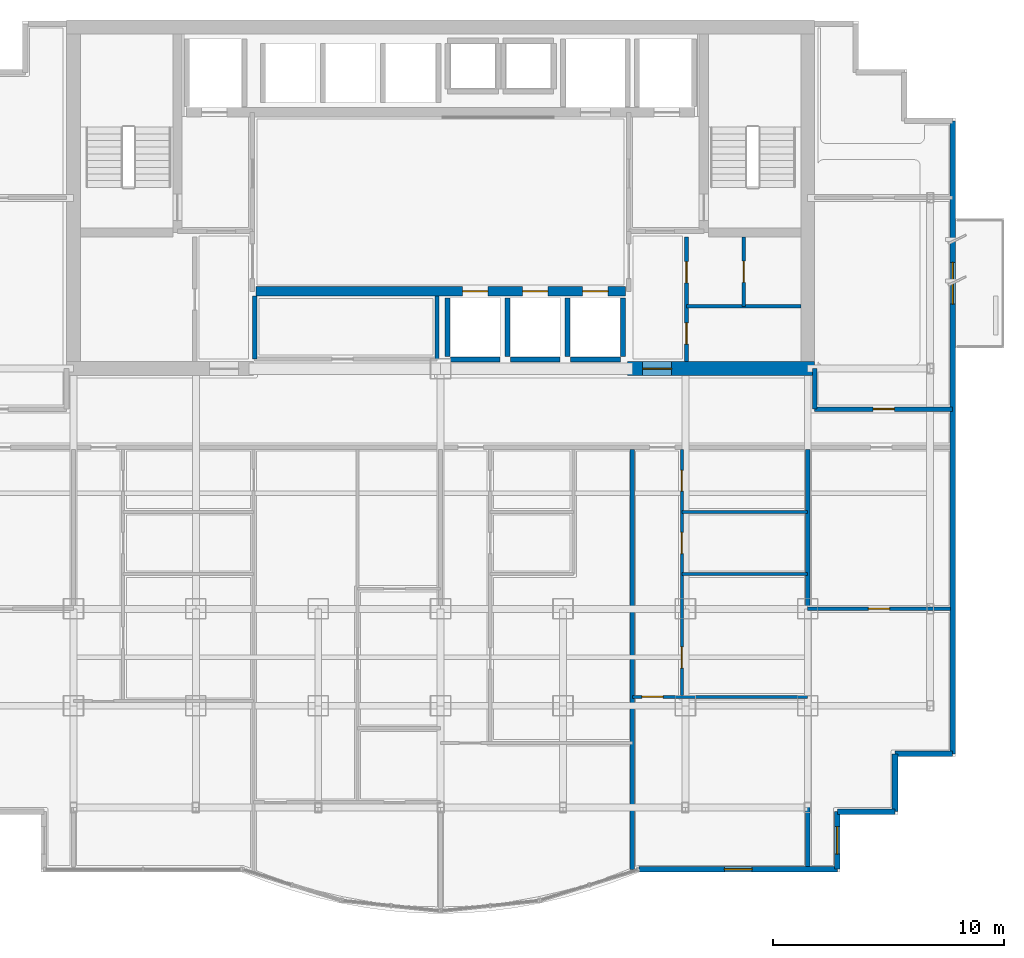
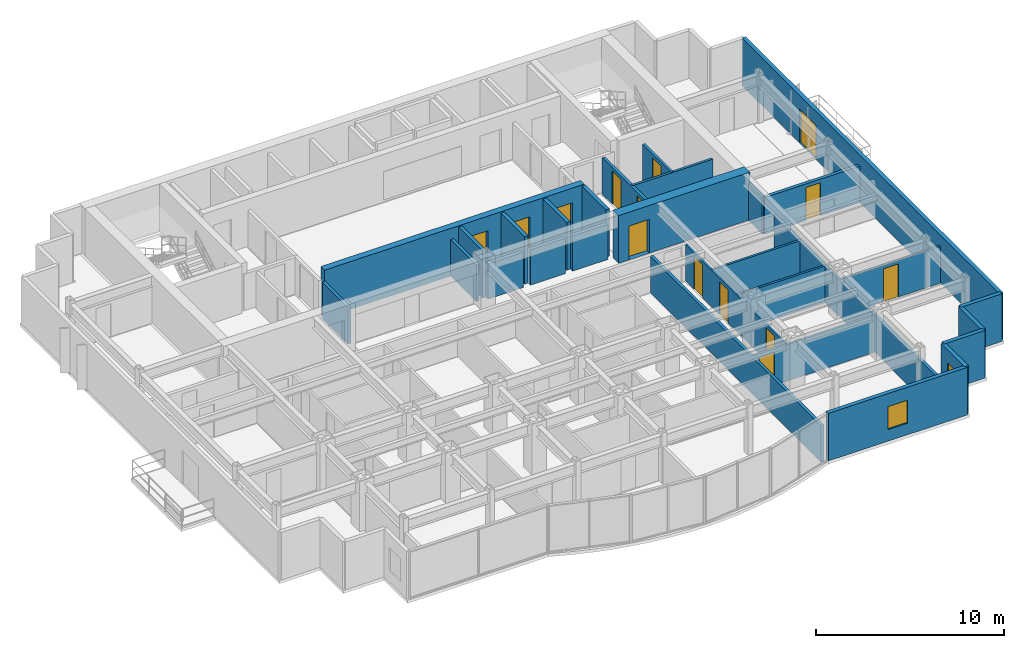
# One storey, part 7 of 11: 29 walls, 14 doors, 2 windows, 16 openings.
"""IFC4 building model written with IfcOpenShell, lengths in metres."""

from ifc_helpers import new_model, si_unit, direction, frame, frame_2d, origin, place, context, subcontext, project, spatial, rectangle, extrude, material, layer, layer_set, type_object, element, fill, save


model = new_model("IFC4")

# Units and contexts
model_context = context("Model", 3, precision=1e-05, world=origin(), true_north=direction((0.0, 1.0)))
body_context = subcontext(model_context, "Body", "Model", "MODEL_VIEW")
ifc_project = project(units=[si_unit("LENGTHUNIT", "METRE"), si_unit("AREAUNIT", "SQUARE_METRE"), si_unit("VOLUMEUNIT", "CUBIC_METRE"), si_unit("PLANEANGLEUNIT", "RADIAN"), si_unit("MASSUNIT", "GRAM", prefix="KILO")], contexts=[model_context])

# Site, building, storey
site_placement = place(None, origin())
site = spatial("IfcSite", under=ifc_project, at=site_placement, CompositionType="ELEMENT")
building_placement = place(site_placement, origin())
building = spatial("IfcBuilding", under=site, at=building_placement, Name="Qianlan Lanfeng Residences", CompositionType="ELEMENT")
storey_placement = place(building_placement, frame((0.0, 0.0, 152.39990234375)))
storey = spatial("IfcBuildingStorey", under=building, at=storey_placement, Name="L41", CompositionType="ELEMENT", Elevation=152.39990234375)

# Wall, openings, doors
ifc_material_1 = material(Name="Concrete C56", Category="concrete")
ifc_layer_1 = layer(ifc_material_1, 0.39990234375)
ifc_layer_set_1 = layer_set([ifc_layer_1], Name="Concrete C56")
wall_type_1 = type_object("IfcWallType", Name="CW-RC-400", PredefinedType="SHEAR", material=ifc_layer_set_1)
wall_1_placement = place(storey_placement, frame((18.5, 28.550048828125, 0.0), z_axis=(0.0, 0.0, 1.0), x_axis=(1.0, 0.0, 0.0)))
wall_1 = element("IfcWall", 1, at=wall_1_placement, inside=storey, type_object=wall_type_1, Name="L41 Core Shear Wall LBS", PredefinedType="SHEAR", context=body_context, shape_type="SweptSolid", body=[
    extrude(rectangle(XDim=16.0, YDim=0.39990234375, at=frame_2d((8.0, 0.0))), origin(), (0.0, 0.0, 1.0), 3.10009765625),
])
opening_1_placement = place(wall_1_placement, frame((8.949951171875, 0.0, 0.0)))
opening_1 = element("IfcOpeningElement", 2, at=opening_1_placement, cuts=wall_1, Name="Opening L41-LD-PL-M1", PredefinedType="OPENING", context=body_context, shape_type="SweptSolid", body=[
    extrude(rectangle(XDim=1.10009765625, YDim=2.14990234375, at=frame_2d((0.550048828125, 1.074951171875))), frame((0.0, 0.2099609375, 0.0), z_axis=(0.0, -1.0, 0.0), x_axis=(1.0, 0.0, 0.0)), (0.0, 0.0, 1.0), 0.419921875),
])
opening_2_placement = place(wall_1_placement, frame((11.550048828125, 0.0, 0.0)))
opening_2 = element("IfcOpeningElement", 3, at=opening_2_placement, cuts=wall_1, Name="Opening L41-LD-PL-M2", PredefinedType="OPENING", context=body_context, shape_type="SweptSolid", body=[
    extrude(rectangle(XDim=1.10009765625, YDim=2.14990234375, at=frame_2d((0.550048828125, 1.074951171875))), frame((0.0, 0.2099609375, 0.0), z_axis=(0.0, -1.0, 0.0), x_axis=(1.0, 0.0, 0.0)), (0.0, 0.0, 1.0), 0.419921875),
])
opening_3_placement = place(wall_1_placement, frame((14.14990234375, 0.0, 0.0)))
opening_3 = element("IfcOpeningElement", 4, at=opening_3_placement, cuts=wall_1, Name="Opening L41-LD-PL-M3", PredefinedType="OPENING", context=body_context, shape_type="SweptSolid", body=[
    extrude(rectangle(XDim=1.10009765625, YDim=2.14990234375, at=frame_2d((0.550048828125, 1.074951171875))), frame((0.0, 0.2099609375, 0.0), z_axis=(0.0, -1.0, 0.0), x_axis=(1.0, 0.0, 0.0)), (0.0, 0.0, 1.0), 0.419921875),
])
ifc_material_2 = material(Name="Brushed Stainless Steel Sliding Lift Door", Category="steel")
door_type_1 = type_object("IfcDoorType", Name="LD-01", OperationType="NOTDEFINED", PredefinedType="DOOR", material=ifc_material_2)
door_1_placement = place(opening_1_placement, origin())
door_1 = element("IfcDoor", 5, at=door_1_placement, inside=storey, type_object=door_type_1, Name="L41 Elevator PL-M1 Sliding Landing Door", OperationType="DOUBLE_DOOR_SLIDING", OverallHeight=2.14990234375, OverallWidth=1.10009765625, PredefinedType="DOOR", context=body_context, shape_type="SweptSolid", body=[
    extrude(rectangle(XDim=1.10009765625, YDim=2.14990234375, at=frame_2d((0.550048828125, 1.074951171875))), frame((0.0, 0.02490234375, 0.0), z_axis=(0.0, -1.0, 0.0), x_axis=(1.0, 0.0, 0.0)), (0.0, 0.0, 1.0), 0.050048828125),
])
fill(opening_1, door_1)
door_2_placement = place(opening_2_placement, origin())
door_2 = element("IfcDoor", 6, at=door_2_placement, inside=storey, type_object=door_type_1, Name="L41 Elevator PL-M2 Sliding Landing Door", OperationType="DOUBLE_DOOR_SLIDING", OverallHeight=2.14990234375, OverallWidth=1.10009765625, PredefinedType="DOOR", context=body_context, shape_type="SweptSolid", body=[
    extrude(rectangle(XDim=1.10009765625, YDim=2.14990234375, at=frame_2d((0.550048828125, 1.074951171875))), frame((0.0, 0.02490234375, 0.0), z_axis=(0.0, -1.0, 0.0), x_axis=(1.0, 0.0, 0.0)), (0.0, 0.0, 1.0), 0.050048828125),
])
fill(opening_2, door_2)
door_3_placement = place(opening_3_placement, origin())
door_3 = element("IfcDoor", 7, at=door_3_placement, inside=storey, type_object=door_type_1, Name="L41 Elevator PL-M3 Sliding Landing Door", OperationType="DOUBLE_DOOR_SLIDING", OverallHeight=2.14990234375, OverallWidth=1.10009765625, PredefinedType="DOOR", context=body_context, shape_type="SweptSolid", body=[
    extrude(rectangle(XDim=1.10009765625, YDim=2.14990234375, at=frame_2d((0.550048828125, 1.074951171875))), frame((0.0, 0.02490234375, 0.0), z_axis=(0.0, -1.0, 0.0), x_axis=(1.0, 0.0, 0.0)), (0.0, 0.0, 1.0), 0.050048828125),
])
fill(opening_3, door_3)

# Wall, opening, door
ifc_layer_2 = layer(ifc_material_1, 0.60009765625)
ifc_layer_set_2 = layer_set([ifc_layer_2], Name="Concrete C56")
wall_type_2 = type_object("IfcWallType", Name="CW-RC-600", PredefinedType="SHEAR", material=ifc_layer_set_2)
wall_2_placement = place(storey_placement, frame((34.60009765625, 25.199951171875, 0.0), z_axis=(0.0, 0.0, 1.0), x_axis=(1.0, 0.0, 0.0)))
wall_2 = element("IfcWall", 8, at=wall_2_placement, inside=storey, type_object=wall_type_2, Name="L41 Core Shear Wall SE", PredefinedType="SHEAR", context=body_context, shape_type="SweptSolid", body=[
    extrude(rectangle(XDim=8.099853515625, YDim=0.60009765625, at=frame_2d((4.0498046875, 0.0))), origin(), (0.0, 0.0, 1.0), 3.10009765625),
])
opening_4_placement = place(wall_2_placement, frame((0.64990234375, 0.0, 0.0)))
opening_4 = element("IfcOpeningElement", 9, at=opening_4_placement, cuts=wall_2, Name="Opening L41-D02", PredefinedType="OPENING", context=body_context, shape_type="SweptSolid", body=[
    extrude(rectangle(XDim=1.25, YDim=2.199951171875, at=frame_2d((0.625, 1.10009765625))), frame((0.0, 0.31005859375, 0.0), z_axis=(0.0, -1.0, 0.0), x_axis=(1.0, 0.0, 0.0)), (0.0, 0.0, 1.0), 0.6201171875),
])
ifc_material_3 = material(Name="Painted Galvanised Steel Fire Door", Category="steel")
door_type_2 = type_object("IfcDoorType", Name="DT-FFL", OperationType="NOTDEFINED", PredefinedType="DOOR", material=ifc_material_3)
door_4_placement = place(opening_4_placement, frame((1.25, 0.0, 0.0), z_axis=(0.0, 0.0, 1.0), x_axis=(-1.0, 0.0, 0.0)))
door_4 = element("IfcDoor", 10, at=door_4_placement, inside=storey, type_object=door_type_2, Name="L41 East Core Lobby Smoke Door L41-D02 (DT-FFL)", OperationType="SINGLE_SWING_LEFT", OverallHeight=2.199951171875, OverallWidth=1.25, PredefinedType="DOOR", context=body_context, shape_type="SweptSolid", body=[
    extrude(rectangle(XDim=1.25, YDim=2.199951171875, at=frame_2d((0.625, 1.10009765625))), frame((0.0, 0.02490234375, 0.0), z_axis=(0.0, -1.0, 0.0), x_axis=(1.0, 0.0, 0.0)), (0.0, 0.0, 1.0), 0.050048828125),
])
fill(opening_4, door_4)

# Wall, opening, window
ifc_material_4 = material(Name="Concrete C42", Category="concrete")
ifc_layer_3 = layer(ifc_material_4, 0.239990234375)
ifc_layer_set_3 = layer_set([ifc_layer_3], Name="Concrete C42")
wall_type_3 = type_object("IfcWallType", Name="EW-240", PredefinedType="SOLIDWALL", material=ifc_layer_set_3)
wall_3_placement = place(storey_placement, frame((35.096923828125, 3.52001953125, 0.0), z_axis=(0.0, 0.0, 1.0), x_axis=(1.0, 0.0, 0.0)))
wall_3 = element("IfcWall", 11, at=wall_3_placement, inside=storey, type_object=wall_type_3, Name="L41 Exterior Facade Spandrel Wall 5", PredefinedType="SOLIDWALL", context=body_context, shape_type="SweptSolid", body=[
    extrude(rectangle(XDim=8.5830078125, YDim=0.239990234375, at=frame_2d((4.29150390625, 0.0))), origin(), (0.0, 0.0, 1.0), 3.10009765625),
])
opening_5_placement = place(wall_3_placement, frame((3.69091796875, 0.0, 0.75)))
opening_5 = element("IfcOpeningElement", 12, at=opening_5_placement, cuts=wall_3, Name="Opening W-03", PredefinedType="OPENING", context=body_context, shape_type="SweptSolid", body=[
    extrude(rectangle(XDim=1.199951171875, YDim=1.5, at=frame_2d((0.60009765625, 0.75))), frame((0.0, 0.1298828125, 0.0), z_axis=(0.0, -1.0, 0.0), x_axis=(1.0, 0.0, 0.0)), (0.0, 0.0, 1.0), 0.260009765625),
])
ifc_material_5 = material(Name="Anodised Bronze Aluminium Framed Double Glazing", Category="aluminium")
window_type = type_object("IfcWindowType", Name="W-03", PartitioningType="SINGLE_PANEL", PredefinedType="WINDOW", material=ifc_material_5)
window_1_placement = place(opening_5_placement, origin())
window_1 = element("IfcWindow", 13, at=window_1_placement, inside=storey, type_object=window_type, Name="L41 Facade Punched Window W-03", OverallHeight=1.5, OverallWidth=1.199951171875, PartitioningType="SINGLE_PANEL", PredefinedType="WINDOW", context=body_context, shape_type="SweptSolid", body=[
    extrude(rectangle(XDim=1.199951171875, YDim=1.5, at=frame_2d((0.60009765625, 0.75))), frame((0.0, 0.030029296875, 0.0), z_axis=(0.0, -1.0, 0.0), x_axis=(1.0, 0.0, 0.0)), (0.0, 0.0, 1.0), 0.06005859375),
])
fill(opening_5, window_1)

wall_4_placement = place(storey_placement, frame((43.679931640625, 3.52001953125, 0.0), z_axis=(0.0, 0.0, 1.0), x_axis=(0.0, 1.0, 0.0)))
wall_4 = element("IfcWall", 14, at=wall_4_placement, inside=storey, type_object=wall_type_3, Name="L41 Exterior Facade Spandrel Wall 6", PredefinedType="SOLIDWALL", context=body_context, shape_type="SweptSolid", body=[
    extrude(rectangle(XDim=2.5, YDim=0.239990234375, at=frame_2d((1.25, 0.0))), origin(), (0.0, 0.0, 1.0), 3.10009765625),
])
opening_6_placement = place(wall_4_placement, frame((0.64990234375, 0.0, 0.75)))
opening_6 = element("IfcOpeningElement", 15, at=opening_6_placement, cuts=wall_4, Name="Opening W-03", PredefinedType="OPENING", context=body_context, shape_type="SweptSolid", body=[
    extrude(rectangle(XDim=1.199951171875, YDim=1.5, at=frame_2d((0.60009765625, 0.75))), frame((0.0, 0.1298828125, 0.0), z_axis=(0.0, -1.0, 0.0), x_axis=(1.0, 0.0, 0.0)), (0.0, 0.0, 1.0), 0.260009765625),
])
window_2_placement = place(opening_6_placement, origin())
window_2 = element("IfcWindow", 16, at=window_2_placement, inside=storey, type_object=window_type, Name="L41 Facade Punched Window W-03", OverallHeight=1.5, OverallWidth=1.199951171875, PartitioningType="SINGLE_PANEL", PredefinedType="WINDOW", context=body_context, shape_type="SweptSolid", body=[
    extrude(rectangle(XDim=1.199951171875, YDim=1.5, at=frame_2d((0.60009765625, 0.75))), frame((0.0, 0.030029296875, 0.0), z_axis=(0.0, -1.0, 0.0), x_axis=(1.0, 0.0, 0.0)), (0.0, 0.0, 1.0), 0.06005859375),
])
fill(opening_6, window_2)

# Walls
for number, where, z_axis, x_axis, name in (
    (17, (43.679931640625, 6.02001953125, 0.0), (0.0, 0.0, 1.0), (1.0, 0.0, 0.0), "L41 Exterior Facade Spandrel Wall 7"),
    (18, (46.179931640625, 6.02001953125, 0.0), (0.0, 0.0, 1.0), (0.0, 1.0, 0.0), "L41 Exterior Facade Spandrel Wall 8"),
    (19, (46.179931640625, 8.52001953125, 0.0), (0.0, 0.0, 1.0), (1.0, 0.0, 0.0), "L41 Exterior Facade Spandrel Wall 9"),
):
    element("IfcWall", number, at=place(storey_placement, frame(where, z_axis=z_axis, x_axis=x_axis)), inside=storey, type_object=wall_type_3, Name=name, PredefinedType="SOLIDWALL", context=body_context, shape_type="SweptSolid", body=[
        extrude(rectangle(XDim=2.5, YDim=0.239990234375, at=frame_2d((1.25, 0.0))), origin(), (0.0, 0.0, 1.0), 3.10009765625),
    ])

# Wall, opening, door
wall_5_placement = place(storey_placement, frame((48.679931640625, 8.52001953125, 0.0), z_axis=(0.0, 0.0, 1.0), x_axis=(0.0, 1.0, 0.0)))
wall_5 = element("IfcWall", 20, at=wall_5_placement, inside=storey, type_object=wall_type_3, Name="L41 Terrace/Balcony Access Exterior Wall 10", PredefinedType="SOLIDWALL", context=body_context, shape_type="SweptSolid", body=[
    extrude(rectangle(XDim=27.409912109375, YDim=0.239990234375, at=frame_2d((13.705078125, 0.0))), origin(), (0.0, 0.0, 1.0), 3.10009765625),
])
opening_7_placement = place(wall_5_placement, frame((19.47998046875, 0.0, 0.0)))
opening_7 = element("IfcOpeningElement", 21, at=opening_7_placement, cuts=wall_5, Name="Opening L41-D-EB-N", PredefinedType="OPENING", context=body_context, shape_type="SweptSolid", body=[
    extrude(rectangle(XDim=1.800048828125, YDim=2.199951171875, at=frame_2d((0.89990234375, 1.10009765625))), frame((0.0, 0.1298828125, 0.0), z_axis=(0.0, -1.0, 0.0), x_axis=(1.0, 0.0, 0.0)), (0.0, 0.0, 1.0), 0.260009765625),
])
ifc_material_6 = material(Name="Anodised Bronze Aluminium Framed Glass", Category="aluminium")
door_type_3 = type_object("IfcDoorType", Name="DT-BAL1", OperationType="NOTDEFINED", PredefinedType="DOOR", material=ifc_material_6)
door_5_placement = place(opening_7_placement, frame((1.800048828125, 0.0, 0.0), z_axis=(0.0, 0.0, 1.0), x_axis=(-1.0, 0.0, 0.0)))
door_5 = element("IfcDoor", 22, at=door_5_placement, inside=storey, type_object=door_type_3, Name="L41 Exterior Access Door EB-N", OperationType="DOUBLE_DOOR_SLIDING", OverallHeight=2.199951171875, OverallWidth=1.800048828125, PredefinedType="DOOR", context=body_context, shape_type="SweptSolid", body=[
    extrude(rectangle(XDim=1.800048828125, YDim=2.199951171875, at=frame_2d((0.89990234375, 1.10009765625))), frame((0.0, 0.02490234375, 0.0), z_axis=(0.0, -1.0, 0.0), x_axis=(1.0, 0.0, 0.0)), (0.0, 0.0, 1.0), 0.050048828125),
])
fill(opening_7, door_5)

ifc_material_7 = material(Name="Moisture-Resistant Gypsum Partition 135 mm")
ifc_layer_4 = layer(ifc_material_7, 0.135009765625)
ifc_layer_set_4 = layer_set([ifc_layer_4], Name="Moisture-Resistant Gypsum Partition 135 mm")
wall_type_4 = type_object("IfcWallType", Name="PW-135", PredefinedType="PARTITIONING", material=ifc_layer_set_4)
wall_6_placement = place(storey_placement, frame((34.800048828125, 10.988037109375, 0.0), z_axis=(0.0, 0.0, 1.0), x_axis=(1.0, 0.0, 0.0)))
wall_6 = element("IfcWall", 23, at=wall_6_placement, inside=storey, type_object=wall_type_4, Name="L41 U03 Living Divider", PredefinedType="PARTITIONING", context=body_context, shape_type="SweptSolid", body=[
    extrude(rectangle(XDim=7.599853515625, YDim=0.135009765625, at=frame_2d((3.7998046875, 0.0))), origin(), (0.0, 0.0, 1.0), 2.380126953125),
])
opening_8_placement = place(wall_6_placement, frame((0.4150390625, 0.0, 0.0)))
opening_8 = element("IfcOpeningElement", 24, at=opening_8_placement, cuts=wall_6, Name="Opening L41-D32", PredefinedType="OPENING", context=body_context, shape_type="SweptSolid", body=[
    extrude(rectangle(XDim=0.919921875, YDim=2.14990234375, at=frame_2d((0.4599609375, 1.074951171875))), frame((0.0, 0.07763671875, 0.0), z_axis=(0.0, -1.0, 0.0), x_axis=(1.0, 0.0, 0.0)), (0.0, 0.0, 1.0), 0.155029296875),
])
ifc_material_8 = material(Name="Glazed Timber Kitchen/Study Door", Category="wood")
door_type_4 = type_object("IfcDoorType", Name="DT-INT", OperationType="NOTDEFINED", PredefinedType="DOOR", material=ifc_material_8)
door_6_placement = place(opening_8_placement, origin())
door_6 = element("IfcDoor", 25, at=door_6_placement, inside=storey, type_object=door_type_4, Name="L41 U03 Living Passage Door L41-D32 (DT-INT)", OperationType="SINGLE_SWING_RIGHT", OverallHeight=2.14990234375, OverallWidth=0.919921875, PredefinedType="DOOR", context=body_context, shape_type="SweptSolid", body=[
    extrude(rectangle(XDim=0.919921875, YDim=2.14990234375, at=frame_2d((0.4599609375, 1.074951171875))), frame((0.0, 0.02490234375, 0.0), z_axis=(0.0, -1.0, 0.0), x_axis=(1.0, 0.0, 0.0)), (0.0, 0.0, 1.0), 0.050048828125),
])
fill(opening_8, door_6)

# Wall, openings, doors
wall_7_placement = place(storey_placement, frame((36.949951171875, 10.988037109375, 0.0), z_axis=(0.0, 0.0, 1.0), x_axis=(0.0, 1.0, 0.0)))
wall_7 = element("IfcWall", 26, at=wall_7_placement, inside=storey, type_object=wall_type_4, Name="L41 U03 Entry Hall Spine", PredefinedType="PARTITIONING", context=body_context, shape_type="SweptSolid", body=[
    extrude(rectangle(XDim=10.7119140625, YDim=0.135009765625, at=frame_2d((5.35595703125, 0.0))), origin(), (0.0, 0.0, 1.0), 2.380126953125),
])
opening_9_placement = place(wall_7_placement, frame((1.24609375, 0.0, 0.0)))
opening_9 = element("IfcOpeningElement", 27, at=opening_9_placement, cuts=wall_7, Name="Opening L41-D33", PredefinedType="OPENING", context=body_context, shape_type="SweptSolid", body=[
    extrude(rectangle(XDim=0.919921875, YDim=2.14990234375, at=frame_2d((0.4599609375, 1.074951171875))), frame((0.0, 0.07763671875, 0.0), z_axis=(0.0, -1.0, 0.0), x_axis=(1.0, 0.0, 0.0)), (0.0, 0.0, 1.0), 0.155029296875),
])
opening_10_placement = place(wall_7_placement, frame((6.201904296875, 0.0, 0.0)))
opening_10 = element("IfcOpeningElement", 28, at=opening_10_placement, cuts=wall_7, Name="Opening L41-D34", PredefinedType="OPENING", context=body_context, shape_type="SweptSolid", body=[
    extrude(rectangle(XDim=0.919921875, YDim=2.14990234375, at=frame_2d((0.4599609375, 1.074951171875))), frame((0.0, 0.07763671875, 0.0), z_axis=(0.0, -1.0, 0.0), x_axis=(1.0, 0.0, 0.0)), (0.0, 0.0, 1.0), 0.155029296875),
])
opening_11_placement = place(wall_7_placement, frame((8.912109375, 0.0, 0.0)))
opening_11 = element("IfcOpeningElement", 29, at=opening_11_placement, cuts=wall_7, Name="Opening L41-D35", PredefinedType="OPENING", context=body_context, shape_type="SweptSolid", body=[
    extrude(rectangle(XDim=0.89990234375, YDim=2.14990234375, at=frame_2d((0.449951171875, 1.074951171875))), frame((0.0, 0.07763671875, 0.0), z_axis=(0.0, -1.0, 0.0), x_axis=(1.0, 0.0, 0.0)), (0.0, 0.0, 1.0), 0.155029296875),
])
door_7_placement = place(opening_9_placement, origin())
door_7 = element("IfcDoor", 30, at=door_7_placement, inside=storey, type_object=door_type_4, Name="L41 U03 Study Door L41-D33 (DT-INT)", OperationType="SINGLE_SWING_RIGHT", OverallHeight=2.14990234375, OverallWidth=0.919921875, PredefinedType="DOOR", context=body_context, shape_type="SweptSolid", body=[
    extrude(rectangle(XDim=0.919921875, YDim=2.14990234375, at=frame_2d((0.4599609375, 1.074951171875))), frame((0.0, 0.02490234375, 0.0), z_axis=(0.0, -1.0, 0.0), x_axis=(1.0, 0.0, 0.0)), (0.0, 0.0, 1.0), 0.050048828125),
])
fill(opening_9, door_7)
door_8_placement = place(opening_10_placement, origin())
door_8 = element("IfcDoor", 31, at=door_8_placement, inside=storey, type_object=door_type_4, Name="L41 U03 Kitchen Door L41-D34 (DT-INT)", OperationType="SINGLE_SWING_LEFT", OverallHeight=2.14990234375, OverallWidth=0.919921875, PredefinedType="DOOR", context=body_context, shape_type="SweptSolid", body=[
    extrude(rectangle(XDim=0.919921875, YDim=2.14990234375, at=frame_2d((0.4599609375, 1.074951171875))), frame((0.0, 0.02490234375, 0.0), z_axis=(0.0, -1.0, 0.0), x_axis=(1.0, 0.0, 0.0)), (0.0, 0.0, 1.0), 0.050048828125),
])
fill(opening_10, door_8)
ifc_material_9 = material(Name="Moisture-Resistant Timber Leaf", Category="wood")
door_type_5 = type_object("IfcDoorType", Name="DT-WC", OperationType="NOTDEFINED", PredefinedType="DOOR", material=ifc_material_9)
door_9_placement = place(opening_11_placement, origin())
door_9 = element("IfcDoor", 32, at=door_9_placement, inside=storey, type_object=door_type_5, Name="L41 U03 Bathroom Door L41-D35 (DT-WC)", OperationType="SINGLE_SWING_RIGHT", OverallHeight=2.14990234375, OverallWidth=0.89990234375, PredefinedType="DOOR", context=body_context, shape_type="SweptSolid", body=[
    extrude(rectangle(XDim=0.89990234375, YDim=2.14990234375, at=frame_2d((0.449951171875, 1.074951171875))), frame((0.0, 0.02490234375, 0.0), z_axis=(0.0, -1.0, 0.0), x_axis=(1.0, 0.0, 0.0)), (0.0, 0.0, 1.0), 0.050048828125),
])
fill(opening_11, door_9)

# Walls
for number, where, z_axis, x_axis, name in (
    (33, (36.949951171875, 16.300048828125, 0.0), (0.0, 0.0, 1.0), (1.0, 0.0, 0.0), "L41 U03 Kitchen South Wall"),
    (34, (36.949951171875, 19.0, 0.0), (0.0, 0.0, 1.0), (1.0, 0.0, 0.0), "L41 U03 Bathroom South Wall"),
):
    element("IfcWall", number, at=place(storey_placement, frame(where, z_axis=z_axis, x_axis=x_axis)), inside=storey, type_object=wall_type_4, Name=name, PredefinedType="PARTITIONING", context=body_context, shape_type="SweptSolid", body=[
        extrude(rectangle(XDim=5.449951171875, YDim=0.135009765625, at=frame_2d((2.72509765625, 0.0))), origin(), (0.0, 0.0, 1.0), 2.380126953125),
    ])

# Wall, opening, door
wall_8_placement = place(storey_placement, frame((42.39990234375, 14.800048828125, 0.0), z_axis=(0.0, 0.0, 1.0), x_axis=(1.0, 0.0, 0.0)))
wall_8 = element("IfcWall", 35, at=wall_8_placement, inside=storey, type_object=wall_type_4, Name="L41 SEP Mid Partition", PredefinedType="PARTITIONING", context=body_context, shape_type="SweptSolid", body=[
    extrude(rectangle(XDim=6.18017578125, YDim=0.135009765625, at=frame_2d((3.090087890625, 0.0))), origin(), (0.0, 0.0, 1.0), 2.380126953125),
])
opening_12_placement = place(wall_8_placement, frame((2.6298828125, 0.0, 0.0)))
opening_12 = element("IfcOpeningElement", 36, at=opening_12_placement, cuts=wall_8, Name="Opening L41-D38", PredefinedType="OPENING", context=body_context, shape_type="SweptSolid", body=[
    extrude(rectangle(XDim=0.919921875, YDim=2.14990234375, at=frame_2d((0.4599609375, 1.074951171875))), frame((0.0, 0.07763671875, 0.0), z_axis=(0.0, -1.0, 0.0), x_axis=(1.0, 0.0, 0.0)), (0.0, 0.0, 1.0), 0.155029296875),
])
door_10_placement = place(opening_12_placement, origin())
door_10 = element("IfcDoor", 37, at=door_10_placement, inside=storey, type_object=door_type_4, Name="L41 SEP Inner Door L41-D38 (DT-INT)", OperationType="SINGLE_SWING_LEFT", OverallHeight=2.14990234375, OverallWidth=0.919921875, PredefinedType="DOOR", context=body_context, shape_type="SweptSolid", body=[
    extrude(rectangle(XDim=0.919921875, YDim=2.14990234375, at=frame_2d((0.4599609375, 1.074951171875))), frame((0.0, 0.02490234375, 0.0), z_axis=(0.0, -1.0, 0.0), x_axis=(1.0, 0.0, 0.0)), (0.0, 0.0, 1.0), 0.050048828125),
])
fill(opening_12, door_10)

# Wall
ifc_material_10 = material(Name="Acoustic Drywall Partition 150 mm")
ifc_layer_5 = layer(ifc_material_10, 0.14990234375)
ifc_layer_set_5 = layer_set([ifc_layer_5], Name="Acoustic Drywall Partition 150 mm")
wall_type_5 = type_object("IfcWallType", Name="PW-150", PredefinedType="PARTITIONING", material=ifc_layer_set_5)
wall_9_placement = place(storey_placement, frame((37.14990234375, 27.89990234375, 0.0), z_axis=(0.0, 0.0, 1.0), x_axis=(1.0, 0.0, 0.0)))
element("IfcWall", 38, at=wall_9_placement, inside=storey, type_object=wall_type_5, Name="L41 Core East H Split", PredefinedType="PARTITIONING", context=body_context, shape_type="SweptSolid", body=[
    extrude(rectangle(XDim=4.9501953125, YDim=0.14990234375, at=frame_2d((2.47509765625, 0.0))), origin(), (0.0, 0.0, 1.0), 2.380126953125),
])

# Wall, opening, door
wall_10_placement = place(storey_placement, frame((39.625, 27.89990234375, 0.0), z_axis=(0.0, 0.0, 1.0), x_axis=(0.0, 1.0, 0.0)))
wall_10 = element("IfcWall", 39, at=wall_10_placement, inside=storey, type_object=wall_type_5, Name="L41 Core East V Split", PredefinedType="PARTITIONING", context=body_context, shape_type="SweptSolid", body=[
    extrude(rectangle(XDim=3.0, YDim=0.14990234375, at=frame_2d((1.5, 0.0))), origin(), (0.0, 0.0, 1.0), 2.380126953125),
])
opening_13_placement = place(wall_10_placement, frame((1.0400390625, 0.0, 0.0)))
opening_13 = element("IfcOpeningElement", 40, at=opening_13_placement, cuts=wall_10, Name="Opening L41-D12", PredefinedType="OPENING", context=body_context, shape_type="SweptSolid", body=[
    extrude(rectangle(XDim=0.919921875, YDim=2.14990234375, at=frame_2d((0.4599609375, 1.074951171875))), frame((0.0, 0.0849609375, 0.0), z_axis=(0.0, -1.0, 0.0), x_axis=(1.0, 0.0, 0.0)), (0.0, 0.0, 1.0), 0.169921875),
])
door_11_placement = place(opening_13_placement, origin())
door_11 = element("IfcDoor", 41, at=door_11_placement, inside=storey, type_object=door_type_4, Name="L41 Inner Supply Closet Door L41-D12 (DT-INT)", OperationType="SINGLE_SWING_LEFT", OverallHeight=2.14990234375, OverallWidth=0.919921875, PredefinedType="DOOR", context=body_context, shape_type="SweptSolid", body=[
    extrude(rectangle(XDim=0.919921875, YDim=2.14990234375, at=frame_2d((0.4599609375, 1.074951171875))), frame((0.0, 0.02490234375, 0.0), z_axis=(0.0, -1.0, 0.0), x_axis=(1.0, 0.0, 0.0)), (0.0, 0.0, 1.0), 0.050048828125),
])
fill(opening_13, door_11)

# Wall, openings, doors
ifc_material_11 = material(Name="Double-Layer Acoustic Gypsum Stud Wall 180 mm")
ifc_layer_6 = layer(ifc_material_11, 0.179931640625)
ifc_layer_set_6 = layer_set([ifc_layer_6], Name="Double-Layer Acoustic Gypsum Stud Wall 180 mm")
wall_type_6 = type_object("IfcWallType", Name="PW-180", PredefinedType="PARTITIONING", material=ifc_layer_set_6)
wall_11_placement = place(storey_placement, frame((37.14990234375, 25.5, 0.0), z_axis=(0.0, 0.0, 1.0), x_axis=(0.0, 1.0, 0.0)))
wall_11 = element("IfcWall", 42, at=wall_11_placement, inside=storey, type_object=wall_type_6, Name="L41 Core East Service Room Wall", PredefinedType="PARTITIONING", context=body_context, shape_type="SweptSolid", body=[
    extrude(rectangle(XDim=5.39990234375, YDim=0.179931640625, at=frame_2d((2.699951171875, 0.0))), origin(), (0.0, 0.0, 1.0), 2.380126953125),
])
opening_14_placement = place(wall_11_placement, frame((0.764892578125, 0.0, 0.0)))
opening_14 = element("IfcOpeningElement", 43, at=opening_14_placement, cuts=wall_11, Name="Opening L41-D10", PredefinedType="OPENING", context=body_context, shape_type="SweptSolid", body=[
    extrude(rectangle(XDim=0.919921875, YDim=2.14990234375, at=frame_2d((0.4599609375, 1.074951171875))), frame((0.0, 0.10009765625, 0.0), z_axis=(0.0, -1.0, 0.0), x_axis=(1.0, 0.0, 0.0)), (0.0, 0.0, 1.0), 0.199951171875),
])
opening_15_placement = place(wall_11_placement, frame((3.4150390625, 0.0, 0.0)))
opening_15 = element("IfcOpeningElement", 44, at=opening_15_placement, cuts=wall_11, Name="Opening L41-D11", PredefinedType="OPENING", context=body_context, shape_type="SweptSolid", body=[
    extrude(rectangle(XDim=0.919921875, YDim=2.14990234375, at=frame_2d((0.4599609375, 1.074951171875))), frame((0.0, 0.10009765625, 0.0), z_axis=(0.0, -1.0, 0.0), x_axis=(1.0, 0.0, 0.0)), (0.0, 0.0, 1.0), 0.199951171875),
])
door_12_placement = place(opening_14_placement, origin())
door_12 = element("IfcDoor", 45, at=door_12_placement, inside=storey, type_object=door_type_4, Name="L41 Refuse Room Door L41-D10 (DT-INT)", OperationType="SINGLE_SWING_LEFT", OverallHeight=2.14990234375, OverallWidth=0.919921875, PredefinedType="DOOR", context=body_context, shape_type="SweptSolid", body=[
    extrude(rectangle(XDim=0.919921875, YDim=2.14990234375, at=frame_2d((0.4599609375, 1.074951171875))), frame((0.0, 0.02490234375, 0.0), z_axis=(0.0, -1.0, 0.0), x_axis=(1.0, 0.0, 0.0)), (0.0, 0.0, 1.0), 0.050048828125),
])
fill(opening_14, door_12)
door_13_placement = place(opening_15_placement, origin())
door_13 = element("IfcDoor", 46, at=door_13_placement, inside=storey, type_object=door_type_4, Name="L41 Janitor Outer Door L41-D11 (DT-INT)", OperationType="SINGLE_SWING_RIGHT", OverallHeight=2.14990234375, OverallWidth=0.919921875, PredefinedType="DOOR", context=body_context, shape_type="SweptSolid", body=[
    extrude(rectangle(XDim=0.919921875, YDim=2.14990234375, at=frame_2d((0.4599609375, 1.074951171875))), frame((0.0, 0.02490234375, 0.0), z_axis=(0.0, -1.0, 0.0), x_axis=(1.0, 0.0, 0.0)), (0.0, 0.0, 1.0), 0.050048828125),
])
fill(opening_15, door_13)

# Walls
for number, where, z_axis, x_axis, name in (
    (47, (18.449951171875, 25.6201171875, 0.0), (0.0, 0.0, 1.0), (0.0, 1.0, 0.0), "L41 Reclaimed Low-Bank Room West Wall"),
    (48, (26.35009765625, 25.6201171875, 0.0), (0.0, 0.0, 1.0), (0.0, 1.0, 0.0), "L41 Reclaimed Low-Bank Room East Wall"),
):
    element("IfcWall", number, at=place(storey_placement, frame(where, z_axis=z_axis, x_axis=x_axis)), inside=storey, type_object=wall_type_6, Name=name, PredefinedType="PARTITIONING", context=body_context, shape_type="SweptSolid", body=[
        extrude(rectangle(XDim=2.72998046875, YDim=0.179931640625, at=frame_2d((1.364990234375, 0.0))), origin(), (0.0, 0.0, 1.0), 2.380126953125),
    ])
wall_12_placement = place(storey_placement, frame((42.39990234375, 3.6201171875, 0.0), z_axis=(0.0, 0.0, 1.0), x_axis=(0.0, 1.0, 0.0)))
element("IfcWall", 49, at=wall_12_placement, inside=storey, type_object=wall_type_6, Name="L41 Wing Boundary Party Wall E0", PredefinedType="PARTITIONING", context=body_context, shape_type="SweptSolid", body=[
    extrude(rectangle(XDim=18.079833984375, YDim=0.179931640625, at=frame_2d((9.0400390625, 0.0))), origin(), (0.0, 0.0, 1.0), 2.380126953125),
])
wall_13_placement = place(storey_placement, frame((34.800048828125, 3.510986328125, 0.0), z_axis=(0.0, 0.0, 1.0), x_axis=(0.0, 1.0, 0.0)))
element("IfcWall", 50, at=wall_13_placement, inside=storey, type_object=wall_type_6, Name="L41 Inter-Tenancy Party Wall 3", PredefinedType="PARTITIONING", context=body_context, shape_type="SweptSolid", body=[
    extrude(rectangle(XDim=18.18896484375, YDim=0.179931640625, at=frame_2d((9.094482421875, 0.0))), origin(), (0.0, 0.0, 1.0), 2.380126953125),
])

# Wall, opening, door
ifc_material_12 = material(Name="Autoclaved Aerated Concrete Blockwork 200 mm", Category="masonry")
ifc_layer_7 = layer(ifc_material_12, 0.199951171875)
ifc_layer_set_7 = layer_set([ifc_layer_7], Name="Autoclaved Aerated Concrete Blockwork 200 mm")
wall_type_7 = type_object("IfcWallType", Name="PW-200", PredefinedType="PARTITIONING", material=ifc_layer_set_7)
wall_14_placement = place(storey_placement, frame((42.699951171875, 23.449951171875, 0.0), z_axis=(0.0, 0.0, 1.0), x_axis=(1.0, 0.0, 0.0)))
wall_14 = element("IfcWall", 51, at=wall_14_placement, inside=storey, type_object=wall_type_7, Name="L41 Corridor NE Wall", PredefinedType="PARTITIONING", context=body_context, shape_type="SweptSolid", body=[
    extrude(rectangle(XDim=5.97998046875, YDim=0.199951171875, at=frame_2d((2.989990234375, 0.0))), origin(), (0.0, 0.0, 1.0), 2.380126953125),
])
opening_16_placement = place(wall_14_placement, frame((2.530029296875, 0.0, 0.0)))
opening_16 = element("IfcOpeningElement", 52, at=opening_16_placement, cuts=wall_14, Name="Opening L41-D43", PredefinedType="OPENING", context=body_context, shape_type="SweptSolid", body=[
    extrude(rectangle(XDim=0.919921875, YDim=2.14990234375, at=frame_2d((0.4599609375, 1.074951171875))), frame((0.0, 0.10986328125, 0.0), z_axis=(0.0, -1.0, 0.0), x_axis=(1.0, 0.0, 0.0)), (0.0, 0.0, 1.0), 0.219970703125),
])
door_14_placement = place(opening_16_placement, origin())
door_14 = element("IfcDoor", 53, at=door_14_placement, inside=storey, type_object=door_type_4, Name="L41 EW Amenity Salon Door L41-D43 (DT-INT)", OperationType="SINGLE_SWING_RIGHT", OverallHeight=2.14990234375, OverallWidth=0.919921875, PredefinedType="DOOR", context=body_context, shape_type="SweptSolid", body=[
    extrude(rectangle(XDim=0.919921875, YDim=2.14990234375, at=frame_2d((0.4599609375, 1.074951171875))), frame((0.0, 0.02490234375, 0.0), z_axis=(0.0, -1.0, 0.0), x_axis=(1.0, 0.0, 0.0)), (0.0, 0.0, 1.0), 0.050048828125),
])
fill(opening_16, door_14)

# Walls
wall_15_placement = place(storey_placement, frame((42.699951171875, 23.449951171875, 0.0), z_axis=(0.0, 0.0, 1.0), x_axis=(0.0, 1.0, 0.0)))
element("IfcWall", 54, at=wall_15_placement, inside=storey, type_object=wall_type_7, Name="L41 NE Wing Core Return Wall", PredefinedType="PARTITIONING", context=body_context, shape_type="SweptSolid", body=[
    extrude(rectangle(XDim=1.75, YDim=0.199951171875, at=frame_2d((0.875, 0.0))), origin(), (0.0, 0.0, 1.0), 2.380126953125),
])
ifc_material_13 = material(Name="Concrete C49", Category="concrete")
ifc_layer_8 = layer(ifc_material_13, 0.219970703125)
ifc_layer_set_8 = layer_set([ifc_layer_8], Name="Concrete C49")
wall_type_8 = type_object("IfcWallType", Name="SHW-220", PredefinedType="SOLIDWALL", material=ifc_layer_set_8)
wall_16_placement = place(storey_placement, frame((26.800048828125, 25.719970703125, 0.0), z_axis=(0.0, 0.0, 1.0), x_axis=(0.0, 1.0, 0.0)))
element("IfcWall", 55, at=wall_16_placement, inside=storey, type_object=wall_type_8, Name="L41 Lift PL-M1 Shaft Wall W", PredefinedType="SOLIDWALL", context=body_context, shape_type="SweptSolid", body=[
    extrude(rectangle(XDim=2.530029296875, YDim=0.219970703125, at=frame_2d((1.26513671875, 0.0))), origin(), (0.0, 0.0, 1.0), 3.10009765625),
])
wall_17_placement = place(storey_placement, frame((26.919921875, 25.60009765625, 0.0), z_axis=(0.0, 0.0, 1.0), x_axis=(1.0, 0.0, 0.0)))
element("IfcWall", 56, at=wall_17_placement, inside=storey, type_object=wall_type_8, Name="L41 Lift PL-M1 Shaft Back Wall S", PredefinedType="SOLIDWALL", context=body_context, shape_type="SweptSolid", body=[
    extrude(rectangle(XDim=2.16015625, YDim=0.219970703125, at=frame_2d((1.080078125, 0.0))), origin(), (0.0, 0.0, 1.0), 2.295166015625),
])
wall_18_placement = place(storey_placement, frame((29.39990234375, 25.719970703125, 0.0), z_axis=(0.0, 0.0, 1.0), x_axis=(0.0, 1.0, 0.0)))
element("IfcWall", 57, at=wall_18_placement, inside=storey, type_object=wall_type_8, Name="L41 Lift PL-M2 Shaft Wall W", PredefinedType="SOLIDWALL", context=body_context, shape_type="SweptSolid", body=[
    extrude(rectangle(XDim=2.530029296875, YDim=0.219970703125, at=frame_2d((1.26513671875, 0.0))), origin(), (0.0, 0.0, 1.0), 3.10009765625),
])
wall_19_placement = place(storey_placement, frame((29.52001953125, 25.60009765625, 0.0), z_axis=(0.0, 0.0, 1.0), x_axis=(1.0, 0.0, 0.0)))
element("IfcWall", 58, at=wall_19_placement, inside=storey, type_object=wall_type_8, Name="L41 Lift PL-M2 Shaft Back Wall S", PredefinedType="SOLIDWALL", context=body_context, shape_type="SweptSolid", body=[
    extrude(rectangle(XDim=2.159912109375, YDim=0.219970703125, at=frame_2d((1.080078125, 0.0))), origin(), (0.0, 0.0, 1.0), 2.295166015625),
])
for number, where, z_axis, x_axis, name in (
    (59, (32.0, 25.719970703125, 0.0), (0.0, 0.0, 1.0), (0.0, 1.0, 0.0), "L41 Lift PL-M3 Shaft Wall W"),
    (60, (34.39990234375, 25.719970703125, 0.0), (0.0, 0.0, 1.0), (0.0, 1.0, 0.0), "L41 Lift PL-M3 Shaft Wall E"),
):
    element("IfcWall", number, at=place(storey_placement, frame(where, z_axis=z_axis, x_axis=x_axis)), inside=storey, type_object=wall_type_8, Name=name, PredefinedType="SOLIDWALL", context=body_context, shape_type="SweptSolid", body=[
        extrude(rectangle(XDim=2.530029296875, YDim=0.219970703125, at=frame_2d((1.26513671875, 0.0))), origin(), (0.0, 0.0, 1.0), 3.10009765625),
    ])
wall_20_placement = place(storey_placement, frame((32.1201171875, 25.60009765625, 0.0), z_axis=(0.0, 0.0, 1.0), x_axis=(1.0, 0.0, 0.0)))
element("IfcWall", 61, at=wall_20_placement, inside=storey, type_object=wall_type_8, Name="L41 Lift PL-M3 Shaft Back Wall S", PredefinedType="SOLIDWALL", context=body_context, shape_type="SweptSolid", body=[
    extrude(rectangle(XDim=2.159912109375, YDim=0.219970703125, at=frame_2d((1.080078125, 0.0))), origin(), (0.0, 0.0, 1.0), 2.295166015625),
])

save(model, "model.ifc")
